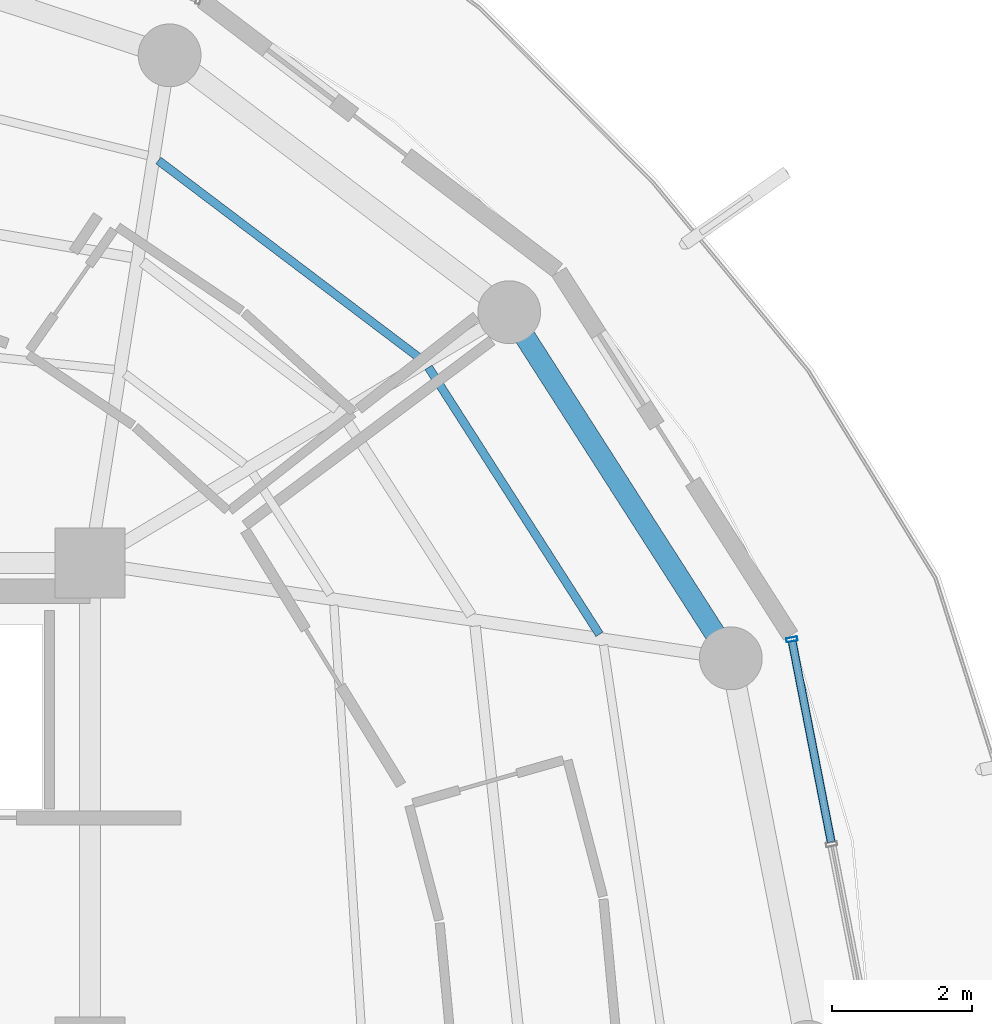
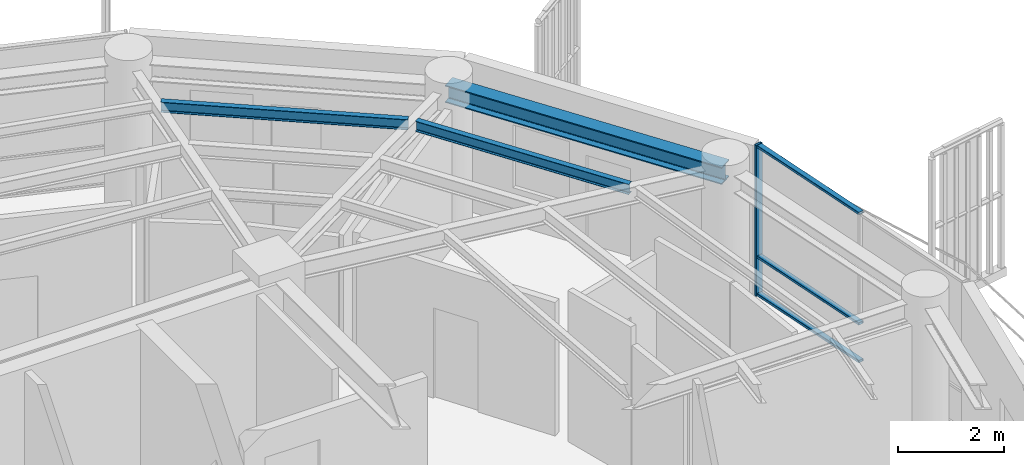
# One storey, part 12 of 24: 4 members, 3 beams, 1 element without a shape of its own.
"""IFC4 building model written with IfcOpenShell, lengths in metres."""

from ifc_helpers import new_model, si_unit, direction, frame, origin, origin_2d, place, context, subcontext, project, spatial, hollow_rectangle, i_section, extrude, material, layer, layer_set, material_profile, profile_set, type_object, element, aggregate, save


model = new_model("IFC4")

# Units and contexts
model_context = context("Model", 3, precision=1e-05, world=origin(), true_north=direction((0.0, 1.0)))
body_context = subcontext(model_context, "Body", "Model", "MODEL_VIEW")
ifc_project = project(units=[si_unit("LENGTHUNIT", "METRE"), si_unit("AREAUNIT", "SQUARE_METRE"), si_unit("VOLUMEUNIT", "CUBIC_METRE"), si_unit("PLANEANGLEUNIT", "RADIAN"), si_unit("MASSUNIT", "GRAM", prefix="KILO")], contexts=[model_context])

# Site, building, storey
site_placement = place(None, origin())
site = spatial("IfcSite", under=ifc_project, at=site_placement, CompositionType="ELEMENT")
building_placement = place(site_placement, origin())
building = spatial("IfcBuilding", under=site, at=building_placement, Name="Kelanora Arch Commons", CompositionType="ELEMENT")
storey_placement = place(building_placement, frame((0.0, 0.0, 248.699951171875)))
storey = spatial("IfcBuildingStorey", under=building, at=storey_placement, Name="L63", CompositionType="ELEMENT", Elevation=248.699951171875)

# Beams
ifc_material_1 = material(Name="Steel S355", Category="steel")
ifc_material_profile_1 = material_profile(ifc_material_1, i_section(OverallWidth=0.1201171875, OverallDepth=0.239990234375, WebThickness=0.006103515625, FlangeThickness=0.009765625, FilletRadius=0.014892578125, at=origin_2d()), Name="IPE240")
ifc_profile_set_1 = profile_set([ifc_material_profile_1], Name="Steel S355")
beam_type_1 = type_object("IfcBeamType", Name="BM-JST-02", PredefinedType="JOIST", material=ifc_profile_set_1)
beam_1_placement = place(storey_placement, frame((89.296142578125, 63.980712890625, 3.3701171875), z_axis=(-0.539288735289, 0.842120929552, 0.0), x_axis=(-0.842120929552, -0.539288735289, 0.0)))
element("IfcBeam", 1, at=beam_1_placement, inside=storey, type_object=beam_type_1, Name="Secondary Chord Joist BJC-02 L63", PredefinedType="JOIST", context=body_context, shape_type="SweptSolid", body=[
    extrude(i_section(OverallWidth=0.1201171875, OverallDepth=0.239990234375, WebThickness=0.006103515625, FlangeThickness=0.009765625, FilletRadius=0.014892578125, at=origin_2d()), origin(), (0.0, 0.0, 1.0), 4.538818359375),
])
beam_2_placement = place(storey_placement, frame((86.73486328125, 67.92578125, 3.3701171875), z_axis=(-0.79752302984, 0.60328850219, 0.0), x_axis=(-0.60328850219, -0.79752302984, 0.0)))
element("IfcBeam", 2, at=beam_2_placement, inside=storey, type_object=beam_type_1, Name="Secondary Chord Joist BJC-04 L63", PredefinedType="JOIST", context=body_context, shape_type="SweptSolid", body=[
    extrude(i_section(OverallWidth=0.1201171875, OverallDepth=0.239990234375, WebThickness=0.006103515625, FlangeThickness=0.009765625, FilletRadius=0.014892578125, at=origin_2d()), origin(), (0.0, 0.0, 1.0), 4.70849609375),
])
ifc_material_profile_2 = material_profile(ifc_material_1, i_section(OverallWidth=0.300048828125, OverallDepth=0.39990234375, WebThickness=0.013427734375, FlangeThickness=0.02392578125, FilletRadius=0.027099609375, at=origin_2d()), Name="HEB400")
ifc_profile_set_2 = profile_set([ifc_material_profile_2], Name="Steel S355")
beam_type_2 = type_object("IfcBeamType", Name="BM-SPN-Z4", PredefinedType="SPANDREL", material=ifc_profile_set_2)
beam_3_placement = place(storey_placement, frame((91.177490234375, 63.636474609375, 3.2900390625), z_axis=(-0.539280851353, 0.842125978322, 0.0), x_axis=(-0.842125978322, -0.539280851353, 0.0)))
element("IfcBeam", 3, at=beam_3_placement, inside=storey, type_object=beam_type_2, Name="Perimeter Spandrel Beam BS-02 L63", PredefinedType="SPANDREL", context=body_context, shape_type="SweptSolid", body=[
    extrude(i_section(OverallWidth=0.300048828125, OverallDepth=0.39990234375, WebThickness=0.013427734375, FlangeThickness=0.02392578125, FilletRadius=0.027099609375, at=origin_2d()), origin(), (0.0, 0.0, 1.0), 5.8857421875),
])

# Curtain wall, members
ifc_material_2 = material(Name="Terracotta ceramic-fritted low-E glass and aluminium", Category="masonry")
ifc_layer = layer(ifc_material_2, 0.18994140625)
ifc_layer_set = layer_set([ifc_layer], Name="Terracotta ceramic-fritted low-E glass and aluminium")
curtain_wall_type = type_object("IfcCurtainWallType", Name="CW-SYS-03", PredefinedType="NOTDEFINED", material=ifc_layer_set)
curtain_wall_placement = place(storey_placement, origin())
curtain_wall = element("IfcCurtainWall", 4, at=curtain_wall_placement, inside=storey, type_object=curtain_wall_type, Name="Unitised Curtain Wall L63-B00", PredefinedType="NOTDEFINED")
ifc_material_3 = material(Name="Powder-coated aluminium terracotta", Category="masonry")
ifc_material_profile_3 = material_profile(ifc_material_3, hollow_rectangle(XDim=0.159912109375, YDim=0.06005859375, WallThickness=0.0048828125, InnerFilletRadius=0.0048828125, OuterFilletRadius=0.010009765625, at=origin_2d()), Name="CWM160x60")
ifc_profile_set_3 = profile_set([ifc_material_profile_3], Name="Powder-coated aluminium terracotta")
member_type_1 = type_object("IfcMemberType", Name="CWM-STD", PredefinedType="MULLION", material=ifc_profile_set_3)
member_1_placement = place(storey_placement, frame((92.05078125, 63.906982421875, 0.0), z_axis=(0.0, 0.0, 1.0), x_axis=(-0.981595542501, -0.190971701941, 0.0)))
member_1 = element("IfcMember", 5, at=member_1_placement, type_object=member_type_1, Name="CW-03 mullion 3", PredefinedType="MULLION", context=body_context, shape_type="SweptSolid", body=[
    extrude(hollow_rectangle(XDim=0.159912109375, YDim=0.06005859375, WallThickness=0.0048828125, InnerFilletRadius=0.0048828125, OuterFilletRadius=0.010009765625, at=origin_2d()), origin(), (0.0, 0.0, 1.0), 3.47509765625),
])
ifc_material_profile_4 = material_profile(ifc_material_3, hollow_rectangle(XDim=0.1201171875, YDim=0.06005859375, WallThickness=0.0048828125, InnerFilletRadius=0.0048828125, OuterFilletRadius=0.010009765625, at=origin_2d()), Name="CWT120x60")
ifc_profile_set_4 = profile_set([ifc_material_profile_4], Name="Powder-coated aluminium terracotta")
member_type_2 = type_object("IfcMemberType", Name="CWT-STD", PredefinedType="USERDEFINED", material=ifc_profile_set_4)
member_2_placement = place(storey_placement, frame((92.615234375, 61.005126953125, 0.030029296875), z_axis=(-0.190963443354, 0.981597149192, 0.0), x_axis=(-0.981597149192, -0.190963443354, 0.0)))
member_2 = element("IfcMember", 6, at=member_2_placement, type_object=member_type_2, Name="CW-03 transom 2.1", ObjectType="TRANSOM", PredefinedType="USERDEFINED", context=body_context, shape_type="SweptSolid", body=[
    extrude(hollow_rectangle(XDim=0.1201171875, YDim=0.06005859375, WallThickness=0.0048828125, InnerFilletRadius=0.0048828125, OuterFilletRadius=0.010009765625, at=origin_2d()), origin(), (0.0, 0.0, 1.0), 2.926513671875),
])
member_3_placement = place(storey_placement, frame((92.615234375, 61.005126953125, 0.900146484375), z_axis=(-0.190963443354, 0.981597149192, 0.0), x_axis=(-0.981597149192, -0.190963443354, 0.0)))
member_3 = element("IfcMember", 7, at=member_3_placement, type_object=member_type_2, Name="CW-03 transom 2.2", ObjectType="TRANSOM", PredefinedType="USERDEFINED", context=body_context, shape_type="SweptSolid", body=[
    extrude(hollow_rectangle(XDim=0.1201171875, YDim=0.06005859375, WallThickness=0.0048828125, InnerFilletRadius=0.0048828125, OuterFilletRadius=0.010009765625, at=origin_2d()), origin(), (0.0, 0.0, 1.0), 2.926513671875),
])
member_4_placement = place(storey_placement, frame((92.615234375, 61.005126953125, 3.445068359375), z_axis=(-0.190963443354, 0.981597149192, 0.0), x_axis=(-0.981597149192, -0.190963443354, 0.0)))
member_4 = element("IfcMember", 8, at=member_4_placement, type_object=member_type_2, Name="CW-03 transom 2.3", ObjectType="TRANSOM", PredefinedType="USERDEFINED", context=body_context, shape_type="SweptSolid", body=[
    extrude(hollow_rectangle(XDim=0.1201171875, YDim=0.06005859375, WallThickness=0.0048828125, InnerFilletRadius=0.0048828125, OuterFilletRadius=0.010009765625, at=origin_2d()), origin(), (0.0, 0.0, 1.0), 2.926513671875),
])
aggregate(curtain_wall, [member_1, member_2, member_3, member_4])

save(model, "model.ifc")
